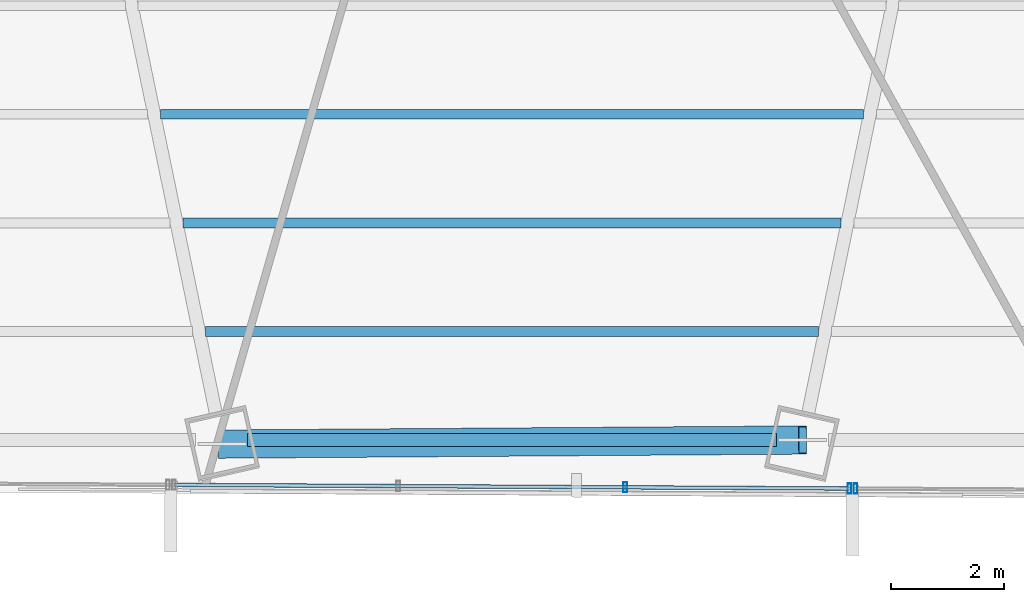
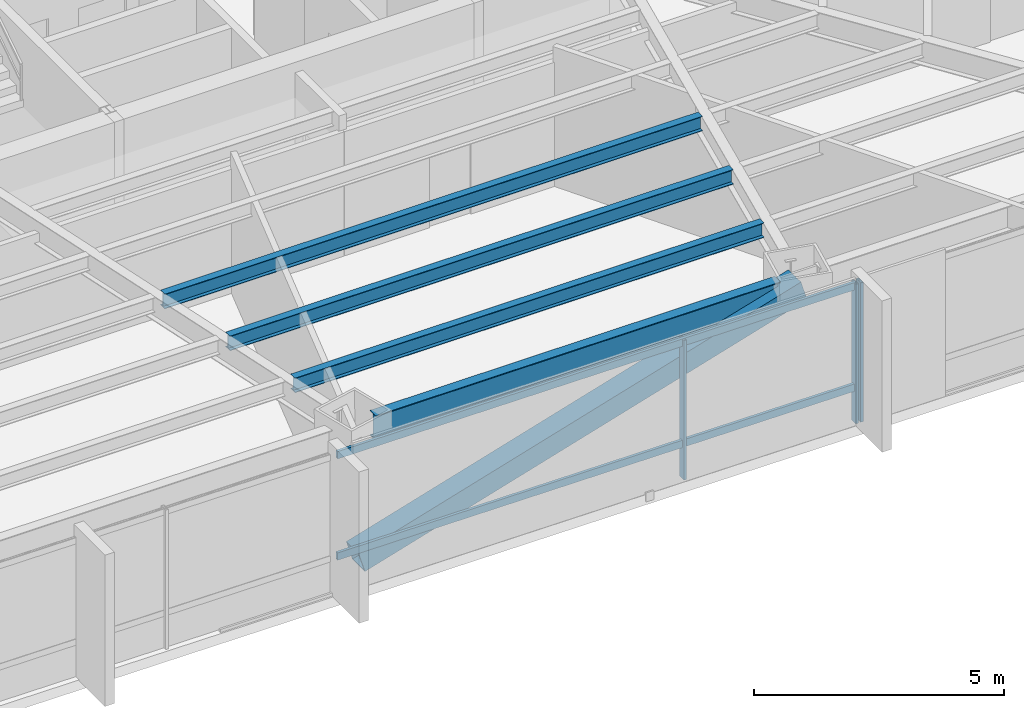
# One storey, part 9 of 36: 6 members, 4 beams, 2 elements without a shape of their own.
"""IFC4 building model written with IfcOpenShell, lengths in metres."""

from ifc_helpers import new_model, si_unit, direction, frame, origin, origin_2d, place, context, subcontext, project, spatial, hollow_rectangle, i_section, extrude, source, transform, mapped, material, material_profile, profile_set, type_object, type_shapes, element, aggregate, save


model = new_model("IFC4")

# Units and contexts
model_context = context("Model", 3, precision=1e-05, world=origin(), true_north=direction((0.0, 1.0)))
body_context = subcontext(model_context, "Body", "Model", "MODEL_VIEW")
ifc_project = project(units=[si_unit("LENGTHUNIT", "METRE"), si_unit("AREAUNIT", "SQUARE_METRE"), si_unit("VOLUMEUNIT", "CUBIC_METRE"), si_unit("PLANEANGLEUNIT", "RADIAN"), si_unit("MASSUNIT", "GRAM", prefix="KILO")], contexts=[model_context])

# Site, building, storey
site_placement = place(None, origin())
site = spatial("IfcSite", under=ifc_project, at=site_placement, CompositionType="ELEMENT")
building_placement = place(site_placement, origin())
building = spatial("IfcBuilding", under=site, at=building_placement, Name="Caelisora Broadcast Tower", CompositionType="ELEMENT")
storey_placement = place(building_placement, frame((0.0, 0.0, 79.85009765625)))
storey = spatial("IfcBuildingStorey", under=building, at=storey_placement, Name="L20", CompositionType="ELEMENT", Elevation=79.85009765625)

# Beams
ifc_material_1 = material(Name="Steel Grade 350 (AS/NZS 3679.1)", Category="steel")
ifc_material_profile_1 = material_profile(ifc_material_1, i_section(OverallWidth=0.22900390625, OverallDepth=0.611572265625, WebThickness=0.011962890625, FlangeThickness=0.01953125, at=origin_2d()), Name="Steel Grade 350 (AS/NZS 3679.1)")
ifc_profile_set_1 = profile_set([ifc_material_profile_1], Name="Steel Grade 350 (AS/NZS 3679.1)")
beam_type_1 = type_object("IfcBeamType", Name="PG03", PredefinedType="BEAM", material=ifc_profile_set_1)
shared_shape_1 = source(origin(), body_context, "Body", "SweptSolid", [
    extrude(i_section(OverallWidth=0.22900390625, OverallDepth=0.611572265625, WebThickness=0.011962890625, FlangeThickness=0.01953125, at=origin_2d()), origin(), (0.0, 0.0, 1.0), 9.3369140625),
])
type_shapes(beam_type_1, [shared_shape_1])
beam_1_placement = place(storey_placement, frame((33.33154296875, 5.9072265625, 3.093994140625), z_axis=(1.0, 0.0, 0.0), x_axis=(0.0, 1.0, 0.0)))
element("IfcBeam", 1, at=beam_1_placement, inside=storey, type_object=beam_type_1, Name="L20 beam PG03", PredefinedType="BEAM", context=body_context, shape_type="MappedRepresentation", body=[
    mapped(shared_shape_1, transform((0.0, 0.0, 0.0), scale=1.0)),
])
ifc_material_profile_2 = material_profile(ifc_material_1, i_section(OverallWidth=0.172119140625, OverallDepth=0.358642578125, WebThickness=0.008056640625, FlangeThickness=0.012939453125, at=origin_2d()), Name="Steel Grade 350 (AS/NZS 3679.1)")
ifc_profile_set_2 = profile_set([ifc_material_profile_2], Name="Steel Grade 350 (AS/NZS 3679.1)")
beam_type_2 = type_object("IfcBeamType", Name="SB02", PredefinedType="JOIST", material=ifc_profile_set_2)
shared_shape_2 = source(origin(), body_context, "Body", "SweptSolid", [
    extrude(i_section(OverallWidth=0.172119140625, OverallDepth=0.358642578125, WebThickness=0.008056640625, FlangeThickness=0.012939453125, at=origin_2d()), origin(), (0.0, 0.0, 1.0), 12.4013671875),
])
beam_2_placement = place(storey_placement, frame((31.79931640625, 11.653564453125, 3.220703125), z_axis=(1.0, 0.0, 0.0), x_axis=(0.0, 1.0, 0.0)))
element("IfcBeam", 2, at=beam_2_placement, inside=storey, type_object=beam_type_2, Name="L20 beam SB02", PredefinedType="JOIST", context=body_context, shape_type="MappedRepresentation", body=[
    mapped(shared_shape_2, transform((0.0, 0.0, 0.0), scale=1.0)),
])
shared_shape_3 = source(origin(), body_context, "Body", "SweptSolid", [
    extrude(i_section(OverallWidth=0.172119140625, OverallDepth=0.358642578125, WebThickness=0.008056640625, FlangeThickness=0.012939453125, at=origin_2d()), origin(), (0.0, 0.0, 1.0), 11.61083984375),
])
beam_3_placement = place(storey_placement, frame((32.194580078125, 9.738037109375, 3.220703125), z_axis=(1.0, 0.0, 0.0), x_axis=(0.0, 1.0, 0.0)))
element("IfcBeam", 3, at=beam_3_placement, inside=storey, type_object=beam_type_2, Name="L20 beam SB02", PredefinedType="JOIST", context=body_context, shape_type="MappedRepresentation", body=[
    mapped(shared_shape_3, transform((0.0, 0.0, 0.0), scale=1.0)),
])
shared_shape_4 = source(origin(), body_context, "Body", "SweptSolid", [
    extrude(i_section(OverallWidth=0.172119140625, OverallDepth=0.358642578125, WebThickness=0.008056640625, FlangeThickness=0.012939453125, at=origin_2d()), origin(), (0.0, 0.0, 1.0), 10.82080078125),
])
type_shapes(beam_type_2, [shared_shape_2, shared_shape_3, shared_shape_4])
beam_4_placement = place(storey_placement, frame((32.589599609375, 7.82275390625, 3.220703125), z_axis=(1.0, 0.0, 0.0), x_axis=(0.0, 1.0, 0.0)))
element("IfcBeam", 4, at=beam_4_placement, inside=storey, type_object=beam_type_2, Name="L20 beam SB02", PredefinedType="JOIST", context=body_context, shape_type="MappedRepresentation", body=[
    mapped(shared_shape_4, transform((0.0, 0.0, 0.0), scale=1.0)),
])

# Member
ifc_material_2 = material(Name="Steel Grade 450 L15 (AS/NZS 3678)", Category="steel")
ifc_material_profile_3 = material_profile(ifc_material_2, hollow_rectangle(XDim=0.5, YDim=0.5, WallThickness=0.02001953125, at=origin_2d()), Name="Steel Grade 450 L15 (AS/NZS 3678)")
ifc_profile_set_3 = profile_set([ifc_material_profile_3], Name="Steel Grade 450 L15 (AS/NZS 3678)")
member_type_1 = type_object("IfcMemberType", Name="BR02", PredefinedType="BRACE", material=ifc_profile_set_3)
shared_shape_5 = source(origin(), body_context, "Body", "SweptSolid", [
    extrude(hollow_rectangle(XDim=0.5, YDim=0.5, WallThickness=0.02001953125, at=origin_2d()), origin(), (0.0, 0.0, 1.0), 10.671142578125),
])
type_shapes(member_type_1, [shared_shape_5])
member_1_placement = place(storey_placement, frame((32.887939453125, 5.8349609375, 0.099853515625), z_axis=(0.959644965757, 0.00677208034, 0.281132848712), x_axis=(-0.007056684467, 0.999975101292, 0.0)))
element("IfcMember", 5, at=member_1_placement, inside=storey, type_object=member_type_1, Name="L20 perimeter brace BR02", PredefinedType="BRACE", context=body_context, shape_type="MappedRepresentation", body=[
    mapped(shared_shape_5, transform((0.0, 0.0, 0.0), scale=1.0)),
])

# Curtain wall, member
ifc_material_3 = material(Name="Unitised Aluminium and Low-E Glass Curtain Wall", Category="glass")
curtain_wall_type_1 = type_object("IfcCurtainWallType", Name="CW-Z2", PredefinedType="NOTDEFINED", material=ifc_material_3)
curtain_wall_1_placement = place(storey_placement, origin())
curtain_wall_1 = element("IfcCurtainWall", 6, at=curtain_wall_1_placement, inside=storey, type_object=curtain_wall_type_1, Name="L20 curtain wall CW-Z2", PredefinedType="NOTDEFINED")
ifc_material_4 = material(Name="Aluminium 6063-T6 Anodised Terracotta Bronze", Category="aluminium")
ifc_material_profile_4 = material_profile(ifc_material_4, hollow_rectangle(XDim=0.06494140625, YDim=0.179931640625, WallThickness=0.00341796875, at=origin_2d()), Name="Aluminium 6063-T6 Anodised Terracotta Bronze")
ifc_profile_set_4 = profile_set([ifc_material_profile_4], Name="Aluminium 6063-T6 Anodised Terracotta Bronze")
member_type_2 = type_object("IfcMemberType", Name="CWM-02", PredefinedType="MULLION", material=ifc_profile_set_4)
shared_shape_6 = source(origin(), body_context, "Body", "SweptSolid", [
    extrude(hollow_rectangle(XDim=0.06494140625, YDim=0.179931640625, WallThickness=0.00341796875, at=origin_2d()), origin(), (0.0, 0.0, 1.0), 3.39990234375),
])
type_shapes(member_type_2, [shared_shape_6])
member_2_placement = place(storey_placement, frame((44.062744140625, 5.050048828125, 0.0), z_axis=(0.0, 0.0, 1.0), x_axis=(1.0, 0.0, 0.0)))
member_2 = element("IfcMember", 7, at=member_2_placement, type_object=member_type_2, Name="L20-CW-B05 mullion #3", PredefinedType="MULLION", context=body_context, shape_type="MappedRepresentation", body=[
    mapped(shared_shape_6, transform((0.0, 0.0, 0.0), scale=1.0)),
])
aggregate(curtain_wall_1, [member_2])

# Curtain wall, members
ifc_material_5 = material(Name="Unitised Aluminium Insulated Shadow-Box Spandrel Curtain Wall", Category="aluminium")
curtain_wall_type_2 = type_object("IfcCurtainWallType", Name="CW-SP1", PredefinedType="NOTDEFINED", material=ifc_material_5)
curtain_wall_2_placement = place(storey_placement, origin())
curtain_wall_2 = element("IfcCurtainWall", 8, at=curtain_wall_2_placement, inside=storey, type_object=curtain_wall_type_2, Name="L20 curtain wall CW-SP1", PredefinedType="NOTDEFINED")
member_3_placement = place(storey_placement, frame((43.95263671875, 5.05078125, 0.0), z_axis=(0.0, 0.0, 1.0), x_axis=(1.0, 0.0, 0.0)))
member_3 = element("IfcMember", 9, at=member_3_placement, type_object=member_type_2, Name="L20-CW-B06 mullion #0", PredefinedType="MULLION", context=body_context, shape_type="MappedRepresentation", body=[
    mapped(shared_shape_6, transform((0.0, 0.0, 0.0), scale=1.0)),
])
member_4_placement = place(storey_placement, frame((39.998291015625, 5.072265625, 0.0), z_axis=(0.0, 0.0, 1.0), x_axis=(1.0, 0.0, 0.0)))
member_4 = element("IfcMember", 10, at=member_4_placement, type_object=member_type_2, Name="L20-CW-B06 mullion #1", PredefinedType="MULLION", context=body_context, shape_type="MappedRepresentation", body=[
    mapped(shared_shape_6, transform((0.0, 0.0, 0.0), scale=1.0)),
])
ifc_material_profile_5 = material_profile(ifc_material_4, hollow_rectangle(XDim=0.06494140625, YDim=0.179931640625, WallThickness=0.00341796875, at=origin_2d()), Name="Aluminium 6063-T6 Anodised Terracotta Bronze")
ifc_profile_set_5 = profile_set([ifc_material_profile_5], Name="Aluminium 6063-T6 Anodised Terracotta Bronze")
member_type_3 = type_object("IfcMemberType", Name="CWT-01", PredefinedType="USERDEFINED", material=ifc_profile_set_5)
shared_shape_7 = source(origin(), body_context, "Body", "SweptSolid", [
    extrude(hollow_rectangle(XDim=0.06494140625, YDim=0.179931640625, WallThickness=0.00341796875, at=origin_2d()), origin(), (0.0, 0.0, 1.0), 11.913818359375),
])
type_shapes(member_type_3, [shared_shape_7])
member_5_placement = place(storey_placement, frame((43.95263671875, 5.05078125, 0.849853515625), z_axis=(-0.999985143396, 0.005450962092, 0.0), x_axis=(-0.005450962092, -0.999985143396, 0.0)))
member_5 = element("IfcMember", 11, at=member_5_placement, type_object=member_type_3, Name="L20-CW-B06 transom #1", ObjectType="TRANSOM", PredefinedType="USERDEFINED", context=body_context, shape_type="MappedRepresentation", body=[
    mapped(shared_shape_7, transform((0.0, 0.0, 0.0), scale=1.0)),
])
member_6_placement = place(storey_placement, frame((43.95263671875, 5.05078125, 3.31982421875), z_axis=(-0.999985143396, 0.005450962092, 0.0), x_axis=(-0.005450962092, -0.999985143396, 0.0)))
member_6 = element("IfcMember", 12, at=member_6_placement, type_object=member_type_3, Name="L20-CW-B06 transom #2", ObjectType="TRANSOM", PredefinedType="USERDEFINED", context=body_context, shape_type="MappedRepresentation", body=[
    mapped(shared_shape_7, transform((0.0, 0.0, 0.0), scale=1.0)),
])
aggregate(curtain_wall_2, [member_3, member_4, member_5, member_6])

save(model, "model.ifc")
